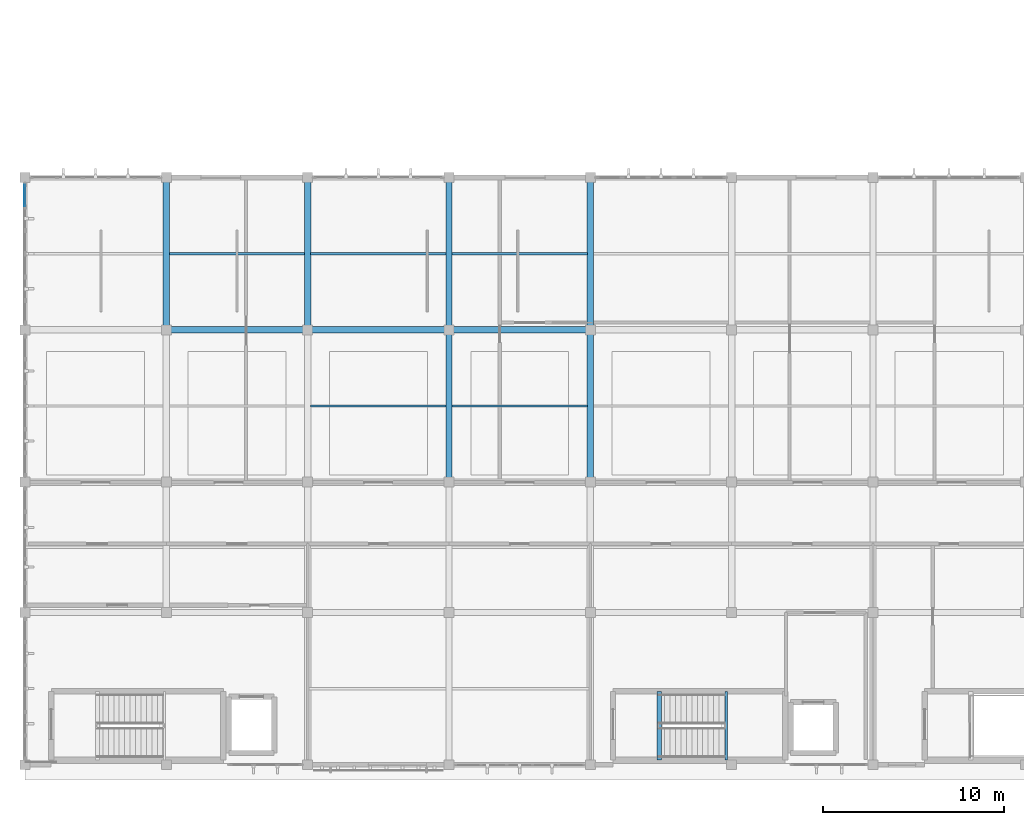
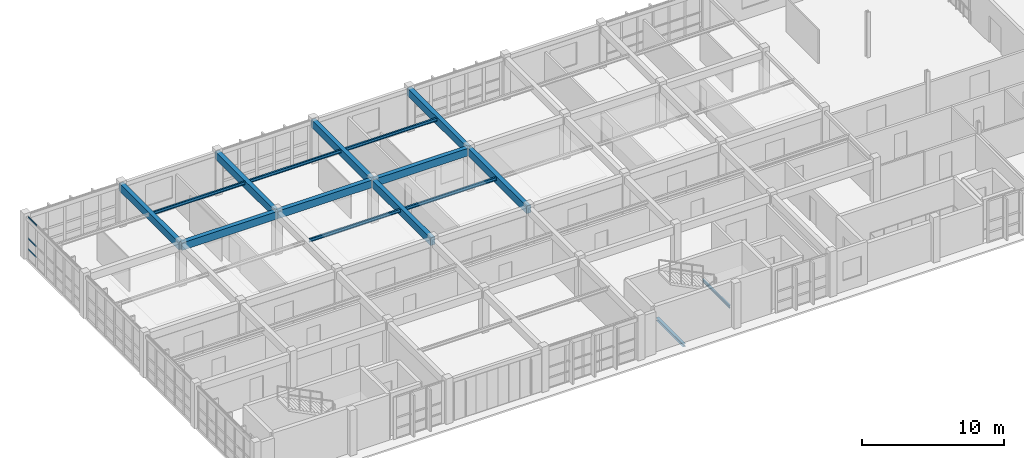
# One storey, part 9 of 35: 16 beams, 3 members, 1 element without a shape of its own.
"""IFC4 building model written with IfcOpenShell, lengths in metres."""

from ifc_helpers import new_model, si_unit, direction, frame, origin, origin_2d, place, context, subcontext, project, spatial, rectangle, i_section, extrude, material, material_profile, profile_set, type_object, element, aggregate, save


model = new_model("IFC4")

# Units and contexts
model_context = context("Model", 3, precision=1e-05, world=origin(), true_north=direction((0.0, 1.0)))
body_context = subcontext(model_context, "Body", "Model", "MODEL_VIEW")
ifc_project = project(units=[si_unit("LENGTHUNIT", "METRE"), si_unit("AREAUNIT", "SQUARE_METRE"), si_unit("VOLUMEUNIT", "CUBIC_METRE"), si_unit("PLANEANGLEUNIT", "RADIAN"), si_unit("MASSUNIT", "GRAM", prefix="KILO")], contexts=[model_context])

# Site, building, storey
site_placement = place(None, origin())
site = spatial("IfcSite", under=ifc_project, at=site_placement, CompositionType="ELEMENT")
building_placement = place(site_placement, origin())
building = spatial("IfcBuilding", under=site, at=building_placement, Name="Tizgana Railside Sports Hall", CompositionType="ELEMENT")
storey_placement = place(building_placement, frame((0.0, 0.0, 15.89990234375)))
storey = spatial("IfcBuildingStorey", under=building, at=storey_placement, Name="L03", CompositionType="ELEMENT", Elevation=15.89990234375)

# Beams
ifc_material_1 = material(Name="Concrete C35/45", Category="concrete")
ifc_material_profile_1 = material_profile(ifc_material_1, rectangle(XDim=0.35009765625, YDim=0.64990234375, at=origin_2d()), Name="RCB 350x650")
ifc_profile_set_1 = profile_set([ifc_material_profile_1], Name="Concrete C35/45")
beam_type_1 = type_object("IfcBeamType", Name="Concrete Beam RCB 350x650", PredefinedType="BEAM", material=ifc_profile_set_1)
for number, where, z_axis, x_axis, name in (
    (1, (15.60009765625, 24.0, 3.31103515625), (0.0, 1.0, 0.0), (-1.0, 0.0, 0.0), "L03 BEM-0709"),
    (2, (23.39990234375, 24.0, 3.31103515625), (0.0, 1.0, 0.0), (-1.0, 0.0, 0.0), "L03 BEM-0713"),
    (3, (31.199951171875, 15.60009765625, 3.31103515625), (0.0, 1.0, 0.0), (-1.0, 0.0, 0.0), "L03 BEM-0716"),
    (4, (31.199951171875, 24.0, 3.31103515625), (0.0, 1.0, 0.0), (-1.0, 0.0, 0.0), "L03 BEM-0717"),
    (5, (39.0, 15.60009765625, 3.31103515625), (0.0, 1.0, 0.0), (-1.0, 0.0, 0.0), "L03 BEM-0720"),
    (6, (39.0, 24.0, 3.31103515625), (0.0, 1.0, 0.0), (-1.0, 0.0, 0.0), "L03 BEM-0721"),
):
    element("IfcBeam", number, at=place(storey_placement, frame(where, z_axis=z_axis, x_axis=x_axis)), inside=storey, type_object=beam_type_1, Name=name, PredefinedType="BEAM", context=body_context, shape_type="SweptSolid", body=[
        extrude(rectangle(XDim=0.35009765625, YDim=0.64990234375, at=origin_2d()), origin(), (0.0, 0.0, 1.0), 8.39990234375),
    ])
beam_1_placement = place(storey_placement, frame((15.60009765625, 24.0, 3.31103515625), z_axis=(1.0, 0.0, 0.0), x_axis=(0.0, 1.0, 0.0)))
element("IfcBeam", 7, at=beam_1_placement, inside=storey, type_object=beam_type_1, Name="L03 BEM-0741", PredefinedType="BEAM", context=body_context, shape_type="SweptSolid", body=[
    extrude(rectangle(XDim=0.35009765625, YDim=0.64990234375, at=origin_2d()), origin(), (0.0, 0.0, 1.0), 7.7998046875),
])
for number, where, z_axis, x_axis, name in (
    (8, (23.39990234375, 24.0, 3.31103515625), (1.0, 0.0, 0.0), (0.0, 1.0, 0.0), "L03 BEM-0749"),
    (9, (31.199951171875, 24.0, 3.31103515625), (1.0, 0.0, 0.0), (0.0, 1.0, 0.0), "L03 BEM-0758"),
):
    element("IfcBeam", number, at=place(storey_placement, frame(where, z_axis=z_axis, x_axis=x_axis)), inside=storey, type_object=beam_type_1, Name=name, PredefinedType="BEAM", context=body_context, shape_type="SweptSolid", body=[
        extrude(rectangle(XDim=0.35009765625, YDim=0.64990234375, at=origin_2d()), origin(), (0.0, 0.0, 1.0), 7.800048828125),
    ])
ifc_material_2 = material(Name="Steel S355J2", Category="steel")
ifc_material_profile_2 = material_profile(ifc_material_2, i_section(OverallWidth=0.1201171875, OverallDepth=0.239990234375, WebThickness=0.006103515625, FlangeThickness=0.009765625, FilletRadius=0.014892578125, at=origin_2d()), Name="IPE 240")
ifc_profile_set_2 = profile_set([ifc_material_profile_2], Name="Steel S355J2")
beam_type_2 = type_object("IfcBeamType", Name="Stair Mid-Landing Header IPE 240", PredefinedType="JOIST", material=ifc_profile_set_2)
beam_2_placement = place(storey_placement, frame((46.5, 0.25, 1.628173828125), z_axis=(0.0, 1.0, 0.0), x_axis=(-1.0, 0.0, 0.0)))
element("IfcBeam", 10, at=beam_2_placement, inside=storey, type_object=beam_type_2, Name="L03 C2 Mid Header 1", PredefinedType="JOIST", context=body_context, shape_type="SweptSolid", body=[
    extrude(i_section(OverallWidth=0.1201171875, OverallDepth=0.239990234375, WebThickness=0.006103515625, FlangeThickness=0.009765625, FilletRadius=0.014892578125, at=origin_2d()), origin(), (0.0, 0.0, 1.0), 3.800048828125),
])
ifc_material_profile_3 = material_profile(ifc_material_2, i_section(OverallWidth=0.239990234375, OverallDepth=0.239990234375, WebThickness=0.010009765625, FlangeThickness=0.01708984375, FilletRadius=0.02099609375, at=origin_2d()), Name="HEB 240")
ifc_profile_set_3 = profile_set([ifc_material_profile_3], Name="Steel S355J2")
beam_type_3 = type_object("IfcBeamType", Name="Steel Beam HEB 240", PredefinedType="BEAM", material=ifc_profile_set_3)
beam_3_placement = place(storey_placement, frame((42.800048828125, 0.25, -0.385986328125), z_axis=(0.0, 1.0, 0.0), x_axis=(-1.0, 0.0, 0.0)))
element("IfcBeam", 11, at=beam_3_placement, inside=storey, type_object=beam_type_3, Name="L03 C2 Landing Header", PredefinedType="BEAM", context=body_context, shape_type="SweptSolid", body=[
    extrude(i_section(OverallWidth=0.239990234375, OverallDepth=0.239990234375, WebThickness=0.010009765625, FlangeThickness=0.01708984375, FilletRadius=0.02099609375, at=origin_2d()), origin(), (0.0, 0.0, 1.0), 3.800048828125),
])
ifc_material_profile_4 = material_profile(ifc_material_2, i_section(OverallWidth=0.1298828125, OverallDepth=0.27001953125, WebThickness=0.006591796875, FlangeThickness=0.01025390625, FilletRadius=0.014892578125, at=origin_2d()), Name="IPE 270")
ifc_profile_set_4 = profile_set([ifc_material_profile_4], Name="Steel S355J2")
beam_type_4 = type_object("IfcBeamType", Name="Steel Joist IPE 270", PredefinedType="JOIST", material=ifc_profile_set_4)
for number, where, z_axis, x_axis, name in (
    (12, (15.77001953125, 28.199951171875, 3.5009765625), (1.0, 0.0, 0.0), (0.0, 1.0, 0.0), "L03 BEM-0745"),
    (13, (23.570068359375, 19.800048828125, 3.5009765625), (1.0, 0.0, 0.0), (0.0, 1.0, 0.0), "L03 BEM-0753"),
    (14, (23.570068359375, 28.199951171875, 3.5009765625), (1.0, 0.0, 0.0), (0.0, 1.0, 0.0), "L03 BEM-0754"),
    (15, (31.3701171875, 19.800048828125, 3.5009765625), (1.0, 0.0, 0.0), (0.0, 1.0, 0.0), "L03 BEM-0762"),
    (16, (31.3701171875, 28.199951171875, 3.5009765625), (1.0, 0.0, 0.0), (0.0, 1.0, 0.0), "L03 BEM-0763"),
):
    element("IfcBeam", number, at=place(storey_placement, frame(where, z_axis=z_axis, x_axis=x_axis)), inside=storey, type_object=beam_type_4, Name=name, PredefinedType="JOIST", context=body_context, shape_type="SweptSolid", body=[
        extrude(i_section(OverallWidth=0.1298828125, OverallDepth=0.27001953125, WebThickness=0.006591796875, FlangeThickness=0.01025390625, FilletRadius=0.014892578125, at=origin_2d()), origin(), (0.0, 0.0, 1.0), 7.4599609375),
    ])

# Curtain wall, members
ifc_material_3 = material(Name="Anodised aluminium and glass", Category="aluminium")
curtain_wall_type = type_object("IfcCurtainWallType", Name="Unitised Curtain Wall Climbing 1600", PredefinedType="NOTDEFINED", material=ifc_material_3)
curtain_wall_placement = place(storey_placement, origin())
curtain_wall = element("IfcCurtainWall", 17, at=curtain_wall_placement, inside=storey, type_object=curtain_wall_type, Name="L03 Curtain Wall CW-0131", PredefinedType="NOTDEFINED")
ifc_material_4 = material(Name="Anodised aluminium", Category="aluminium")
ifc_material_profile_5 = material_profile(ifc_material_4, rectangle(XDim=0.054931640625, YDim=0.1201171875, at=origin_2d()), Name="Transom 55x120")
ifc_profile_set_5 = profile_set([ifc_material_profile_5], Name="Anodised aluminium")
member_type = type_object("IfcMemberType", Name="Transom 55x120", PredefinedType="USERDEFINED", material=ifc_profile_set_5)
member_1_placement = place(storey_placement, frame((7.800048828125, 31.9951171875, 0.900146484375), z_axis=(0.0, -1.0, 0.0), x_axis=(1.0, 0.0, 0.0)))
member_1 = element("IfcMember", 18, at=member_1_placement, type_object=member_type, Name="CW-04 transom 1.2", ObjectType="TRANSOM", PredefinedType="USERDEFINED", context=body_context, shape_type="SweptSolid", body=[
    extrude(rectangle(XDim=0.054931640625, YDim=0.1201171875, at=origin_2d()), origin(), (0.0, 0.0, 1.0), 1.177734375),
])
member_2_placement = place(storey_placement, frame((7.800048828125, 31.9951171875, 1.820068359375), z_axis=(0.0, -1.0, 0.0), x_axis=(1.0, 0.0, 0.0)))
member_2 = element("IfcMember", 19, at=member_2_placement, type_object=member_type, Name="CW-04 transom 1.3", ObjectType="TRANSOM", PredefinedType="USERDEFINED", context=body_context, shape_type="SweptSolid", body=[
    extrude(rectangle(XDim=0.054931640625, YDim=0.1201171875, at=origin_2d()), origin(), (0.0, 0.0, 1.0), 1.177734375),
])
member_3_placement = place(storey_placement, frame((7.800048828125, 31.9951171875, 3.612548828125), z_axis=(0.0, -1.0, 0.0), x_axis=(1.0, 0.0, 0.0)))
member_3 = element("IfcMember", 20, at=member_3_placement, type_object=member_type, Name="CW-04 transom 1.4", ObjectType="TRANSOM", PredefinedType="USERDEFINED", context=body_context, shape_type="SweptSolid", body=[
    extrude(rectangle(XDim=0.054931640625, YDim=0.1201171875, at=origin_2d()), origin(), (0.0, 0.0, 1.0), 1.177734375),
])
aggregate(curtain_wall, [member_1, member_2, member_3])

save(model, "model.ifc")
